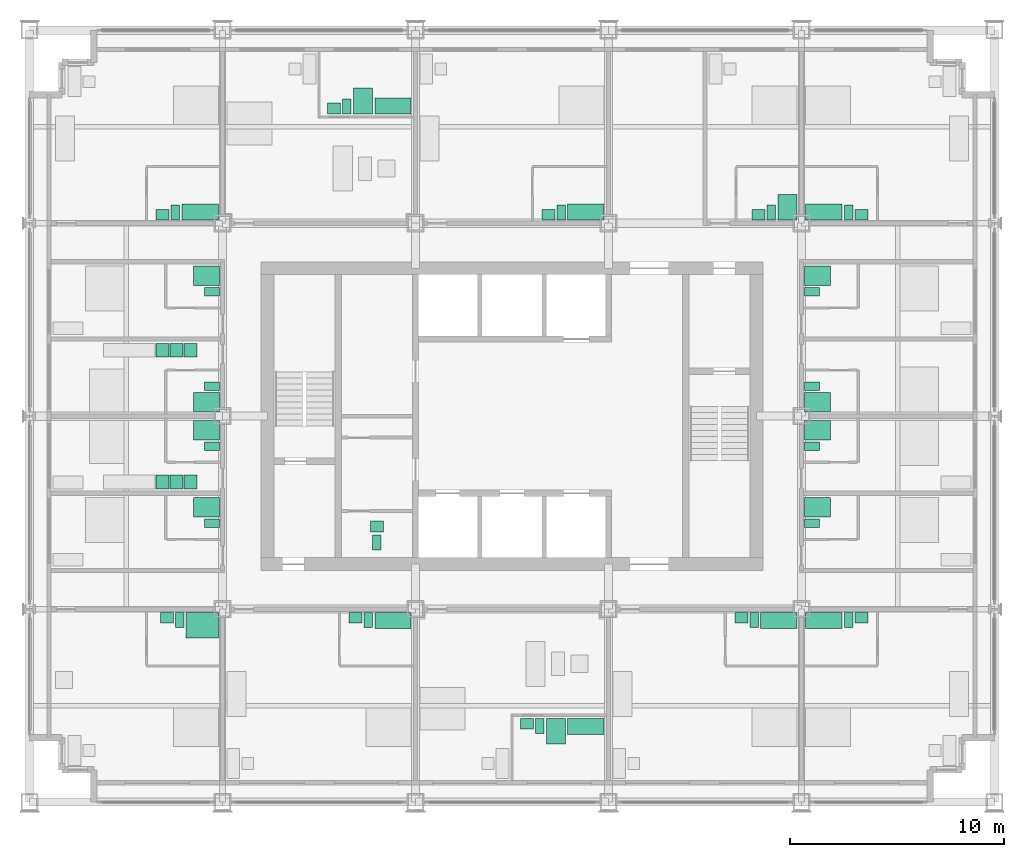
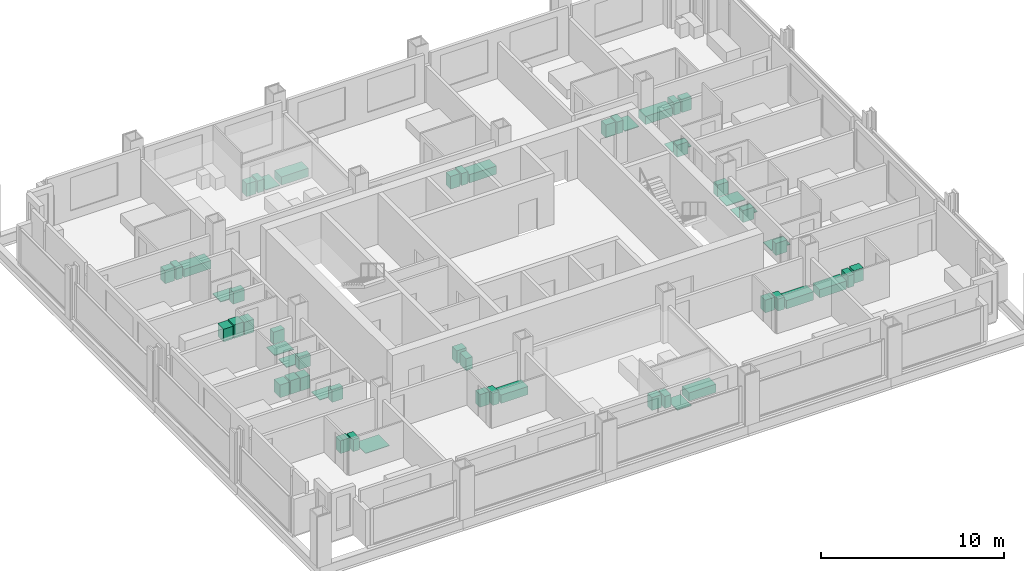
# One storey, part 15 of 16: 50 sanitary terminals, 6 electric appliances.
"""IFC4 building model written with IfcOpenShell, lengths in metres."""

from ifc_helpers import new_model, si_unit, direction, frame, origin, origin_2d, place, context, subcontext, project, spatial, rectangle, extrude, element, save


model = new_model("IFC4")

# Units and contexts
model_context = context("Model", 3, precision=1e-05, world=origin(), true_north=direction((0.0, 1.0)))
body_context = subcontext(model_context, "Body", "Model", "MODEL_VIEW")
ifc_project = project(units=[si_unit("LENGTHUNIT", "METRE"), si_unit("AREAUNIT", "SQUARE_METRE"), si_unit("VOLUMEUNIT", "CUBIC_METRE"), si_unit("PLANEANGLEUNIT", "RADIAN"), si_unit("MASSUNIT", "GRAM", prefix="KILO")], contexts=[model_context])

# Site, building, storey
site_placement = place(None, origin())
site = spatial("IfcSite", under=ifc_project, at=site_placement, CompositionType="ELEMENT")
building_placement = place(site_placement, origin())
building = spatial("IfcBuilding", under=site, at=building_placement, Name="Loomwork Tower", CompositionType="ELEMENT")
storey_placement = place(building_placement, frame((0.0, 0.0, 111.199951171875)))
storey = spatial("IfcBuildingStorey", under=building, at=storey_placement, Name="L29", CompositionType="ELEMENT", Elevation=111.199951171875)

# Sanitary terminals
sanitary_terminal_1_placement = place(storey_placement, frame((8.050048828125, 8.25, 0.0), z_axis=(0.0, 0.0, 1.0), x_axis=(1.0, 0.0, 0.0)))
element("IfcSanitaryTerminal", 1, at=sanitary_terminal_1_placement, inside=storey, Name="Roll-in shower floor L29", PredefinedType="SHOWER", context=body_context, shape_type="SweptSolid", body=[
    extrude(rectangle(XDim=1.5, YDim=1.199951171875, at=origin_2d()), origin(), (0.0, 0.0, 1.0), 0.030029296875),
])
sanitary_terminal_2_placement = place(storey_placement, frame((7.0, 8.5, 0.0), z_axis=(0.0, 0.0, 1.0), x_axis=(1.0, 0.0, 0.0)))
element("IfcSanitaryTerminal", 2, at=sanitary_terminal_2_placement, inside=storey, Name="WC L29", PredefinedType="TOILETPAN", context=body_context, shape_type="SweptSolid", body=[
    extrude(rectangle(XDim=0.39990234375, YDim=0.699951171875, at=origin_2d()), origin(), (0.0, 0.0, 1.0), 0.800048828125),
])
sanitary_terminal_3_placement = place(storey_placement, frame((6.39990234375, 8.60009765625, 0.0), z_axis=(0.0, 0.0, 1.0), x_axis=(1.0, 0.0, 0.0)))
element("IfcSanitaryTerminal", 3, at=sanitary_terminal_3_placement, inside=storey, Name="Basin vanity L29", PredefinedType="WASHHANDBASIN", context=body_context, shape_type="SweptSolid", body=[
    extrude(rectangle(XDim=0.60009765625, YDim=0.5, at=origin_2d()), origin(), (0.0, 0.0, 1.0), 0.85009765625),
])
sanitary_terminal_4_placement = place(storey_placement, frame((16.949951171875, 8.47509765625, 0.0), z_axis=(0.0, 0.0, 1.0), x_axis=(1.0, 0.0, 0.0)))
element("IfcSanitaryTerminal", 4, at=sanitary_terminal_4_placement, inside=storey, Name="Bath L29", PredefinedType="BATH", context=body_context, shape_type="SweptSolid", body=[
    extrude(rectangle(XDim=1.699951171875, YDim=0.75, at=origin_2d()), origin(), (0.0, 0.0, 1.0), 0.550048828125),
])
sanitary_terminal_5_placement = place(storey_placement, frame((15.800048828125, 8.5, 0.0), z_axis=(0.0, 0.0, 1.0), x_axis=(1.0, 0.0, 0.0)))
element("IfcSanitaryTerminal", 5, at=sanitary_terminal_5_placement, inside=storey, Name="WC L29", PredefinedType="TOILETPAN", context=body_context, shape_type="SweptSolid", body=[
    extrude(rectangle(XDim=0.39990234375, YDim=0.699951171875, at=origin_2d()), origin(), (0.0, 0.0, 1.0), 0.800048828125),
])
sanitary_terminal_6_placement = place(storey_placement, frame((15.199951171875, 8.60009765625, 0.0), z_axis=(0.0, 0.0, 1.0), x_axis=(1.0, 0.0, 0.0)))
element("IfcSanitaryTerminal", 6, at=sanitary_terminal_6_placement, inside=storey, Name="Basin vanity L29", PredefinedType="WASHHANDBASIN", context=body_context, shape_type="SweptSolid", body=[
    extrude(rectangle(XDim=0.60009765625, YDim=0.5, at=origin_2d()), origin(), (0.0, 0.0, 1.0), 0.85009765625),
])
sanitary_terminal_7_placement = place(storey_placement, frame((25.949951171875, 3.52490234375, 0.0), z_axis=(0.0, 0.0, 1.0), x_axis=(1.0, 0.0, 0.0)))
element("IfcSanitaryTerminal", 7, at=sanitary_terminal_7_placement, inside=storey, Name="Bath L29", PredefinedType="BATH", context=body_context, shape_type="SweptSolid", body=[
    extrude(rectangle(XDim=1.699951171875, YDim=0.75, at=origin_2d()), origin(), (0.0, 0.0, 1.0), 0.550048828125),
])
sanitary_terminal_8_placement = place(storey_placement, frame((24.550048828125, 3.300048828125, 0.0), z_axis=(0.0, 0.0, 1.0), x_axis=(1.0, 0.0, 0.0)))
element("IfcSanitaryTerminal", 8, at=sanitary_terminal_8_placement, inside=storey, Name="Shower tray L29", PredefinedType="SHOWER", context=body_context, shape_type="SweptSolid", body=[
    extrude(rectangle(XDim=0.89990234375, YDim=1.199951171875, at=origin_2d()), origin(), (0.0, 0.0, 1.0), 0.050048828125),
])
sanitary_terminal_9_placement = place(storey_placement, frame((23.800048828125, 3.550048828125, 0.0), z_axis=(0.0, 0.0, 1.0), x_axis=(1.0, 0.0, 0.0)))
element("IfcSanitaryTerminal", 9, at=sanitary_terminal_9_placement, inside=storey, Name="WC L29", PredefinedType="TOILETPAN", context=body_context, shape_type="SweptSolid", body=[
    extrude(rectangle(XDim=0.39990234375, YDim=0.699951171875, at=origin_2d()), origin(), (0.0, 0.0, 1.0), 0.800048828125),
])
sanitary_terminal_10_placement = place(storey_placement, frame((23.199951171875, 3.64990234375, 0.0), z_axis=(0.0, 0.0, 1.0), x_axis=(1.0, 0.0, 0.0)))
element("IfcSanitaryTerminal", 10, at=sanitary_terminal_10_placement, inside=storey, Name="Basin vanity L29", PredefinedType="WASHHANDBASIN", context=body_context, shape_type="SweptSolid", body=[
    extrude(rectangle(XDim=0.60009765625, YDim=0.5, at=origin_2d()), origin(), (0.0, 0.0, 1.0), 0.85009765625),
])
sanitary_terminal_11_placement = place(storey_placement, frame((34.949951171875, 8.47509765625, 0.0), z_axis=(0.0, 0.0, 1.0), x_axis=(1.0, 0.0, 0.0)))
element("IfcSanitaryTerminal", 11, at=sanitary_terminal_11_placement, inside=storey, Name="Bath L29", PredefinedType="BATH", context=body_context, shape_type="SweptSolid", body=[
    extrude(rectangle(XDim=1.699951171875, YDim=0.75, at=origin_2d()), origin(), (0.0, 0.0, 1.0), 0.550048828125),
])
sanitary_terminal_12_placement = place(storey_placement, frame((33.800048828125, 8.5, 0.0), z_axis=(0.0, 0.0, 1.0), x_axis=(1.0, 0.0, 0.0)))
element("IfcSanitaryTerminal", 12, at=sanitary_terminal_12_placement, inside=storey, Name="WC L29", PredefinedType="TOILETPAN", context=body_context, shape_type="SweptSolid", body=[
    extrude(rectangle(XDim=0.39990234375, YDim=0.699951171875, at=origin_2d()), origin(), (0.0, 0.0, 1.0), 0.800048828125),
])
sanitary_terminal_13_placement = place(storey_placement, frame((33.199951171875, 8.60009765625, 0.0), z_axis=(0.0, 0.0, 1.0), x_axis=(1.0, 0.0, 0.0)))
element("IfcSanitaryTerminal", 13, at=sanitary_terminal_13_placement, inside=storey, Name="Basin vanity L29", PredefinedType="WASHHANDBASIN", context=body_context, shape_type="SweptSolid", body=[
    extrude(rectangle(XDim=0.60009765625, YDim=0.5, at=origin_2d()), origin(), (0.0, 0.0, 1.0), 0.85009765625),
])
sanitary_terminal_14_placement = place(storey_placement, frame((37.050048828125, 8.47509765625, 0.0), z_axis=(0.0, 0.0, 1.0), x_axis=(1.0, 0.0, 0.0)))
element("IfcSanitaryTerminal", 14, at=sanitary_terminal_14_placement, inside=storey, Name="Bath L29", PredefinedType="BATH", context=body_context, shape_type="SweptSolid", body=[
    extrude(rectangle(XDim=1.699951171875, YDim=0.75, at=origin_2d()), origin(), (0.0, 0.0, 1.0), 0.550048828125),
])
sanitary_terminal_15_placement = place(storey_placement, frame((38.199951171875, 8.5, 0.0), z_axis=(0.0, 0.0, 1.0), x_axis=(1.0, 0.0, 0.0)))
element("IfcSanitaryTerminal", 15, at=sanitary_terminal_15_placement, inside=storey, Name="WC L29", PredefinedType="TOILETPAN", context=body_context, shape_type="SweptSolid", body=[
    extrude(rectangle(XDim=0.39990234375, YDim=0.699951171875, at=origin_2d()), origin(), (0.0, 0.0, 1.0), 0.800048828125),
])
sanitary_terminal_16_placement = place(storey_placement, frame((38.800048828125, 8.60009765625, 0.0), z_axis=(0.0, 0.0, 1.0), x_axis=(1.0, 0.0, 0.0)))
element("IfcSanitaryTerminal", 16, at=sanitary_terminal_16_placement, inside=storey, Name="Basin vanity L29", PredefinedType="WASHHANDBASIN", context=body_context, shape_type="SweptSolid", body=[
    extrude(rectangle(XDim=0.60009765625, YDim=0.5, at=origin_2d()), origin(), (0.0, 0.0, 1.0), 0.85009765625),
])
sanitary_terminal_17_placement = place(storey_placement, frame((7.949951171875, 27.52490234375, 0.0), z_axis=(0.0, 0.0, 1.0), x_axis=(1.0, 0.0, 0.0)))
element("IfcSanitaryTerminal", 17, at=sanitary_terminal_17_placement, inside=storey, Name="Bath L29", PredefinedType="BATH", context=body_context, shape_type="SweptSolid", body=[
    extrude(rectangle(XDim=1.699951171875, YDim=0.75, at=origin_2d()), origin(), (0.0, 0.0, 1.0), 0.550048828125),
])
sanitary_terminal_18_placement = place(storey_placement, frame((6.800048828125, 27.5, 0.0), z_axis=(0.0, 0.0, 1.0), x_axis=(1.0, 0.0, 0.0)))
element("IfcSanitaryTerminal", 18, at=sanitary_terminal_18_placement, inside=storey, Name="WC L29", PredefinedType="TOILETPAN", context=body_context, shape_type="SweptSolid", body=[
    extrude(rectangle(XDim=0.39990234375, YDim=0.699951171875, at=origin_2d()), origin(), (0.0, 0.0, 1.0), 0.800048828125),
])
sanitary_terminal_19_placement = place(storey_placement, frame((6.199951171875, 27.39990234375, 0.0), z_axis=(0.0, 0.0, 1.0), x_axis=(1.0, 0.0, 0.0)))
element("IfcSanitaryTerminal", 19, at=sanitary_terminal_19_placement, inside=storey, Name="Basin vanity L29", PredefinedType="WASHHANDBASIN", context=body_context, shape_type="SweptSolid", body=[
    extrude(rectangle(XDim=0.60009765625, YDim=0.5, at=origin_2d()), origin(), (0.0, 0.0, 1.0), 0.85009765625),
])
sanitary_terminal_20_placement = place(storey_placement, frame((16.949951171875, 32.47509765625, 0.0), z_axis=(0.0, 0.0, 1.0), x_axis=(1.0, 0.0, 0.0)))
element("IfcSanitaryTerminal", 20, at=sanitary_terminal_20_placement, inside=storey, Name="Bath L29", PredefinedType="BATH", context=body_context, shape_type="SweptSolid", body=[
    extrude(rectangle(XDim=1.699951171875, YDim=0.75, at=origin_2d()), origin(), (0.0, 0.0, 1.0), 0.550048828125),
])
sanitary_terminal_21_placement = place(storey_placement, frame((15.550048828125, 32.699951171875, 0.0), z_axis=(0.0, 0.0, 1.0), x_axis=(1.0, 0.0, 0.0)))
element("IfcSanitaryTerminal", 21, at=sanitary_terminal_21_placement, inside=storey, Name="Shower tray L29", PredefinedType="SHOWER", context=body_context, shape_type="SweptSolid", body=[
    extrude(rectangle(XDim=0.89990234375, YDim=1.199951171875, at=origin_2d()), origin(), (0.0, 0.0, 1.0), 0.050048828125),
])
sanitary_terminal_22_placement = place(storey_placement, frame((14.800048828125, 32.449951171875, 0.0), z_axis=(0.0, 0.0, 1.0), x_axis=(1.0, 0.0, 0.0)))
element("IfcSanitaryTerminal", 22, at=sanitary_terminal_22_placement, inside=storey, Name="WC L29", PredefinedType="TOILETPAN", context=body_context, shape_type="SweptSolid", body=[
    extrude(rectangle(XDim=0.39990234375, YDim=0.699951171875, at=origin_2d()), origin(), (0.0, 0.0, 1.0), 0.800048828125),
])
sanitary_terminal_23_placement = place(storey_placement, frame((14.199951171875, 32.35009765625, 0.0), z_axis=(0.0, 0.0, 1.0), x_axis=(1.0, 0.0, 0.0)))
element("IfcSanitaryTerminal", 23, at=sanitary_terminal_23_placement, inside=storey, Name="Basin vanity L29", PredefinedType="WASHHANDBASIN", context=body_context, shape_type="SweptSolid", body=[
    extrude(rectangle(XDim=0.60009765625, YDim=0.5, at=origin_2d()), origin(), (0.0, 0.0, 1.0), 0.85009765625),
])
sanitary_terminal_24_placement = place(storey_placement, frame((25.949951171875, 27.52490234375, 0.0), z_axis=(0.0, 0.0, 1.0), x_axis=(1.0, 0.0, 0.0)))
element("IfcSanitaryTerminal", 24, at=sanitary_terminal_24_placement, inside=storey, Name="Bath L29", PredefinedType="BATH", context=body_context, shape_type="SweptSolid", body=[
    extrude(rectangle(XDim=1.699951171875, YDim=0.75, at=origin_2d()), origin(), (0.0, 0.0, 1.0), 0.550048828125),
])
sanitary_terminal_25_placement = place(storey_placement, frame((24.800048828125, 27.5, 0.0), z_axis=(0.0, 0.0, 1.0), x_axis=(1.0, 0.0, 0.0)))
element("IfcSanitaryTerminal", 25, at=sanitary_terminal_25_placement, inside=storey, Name="WC L29", PredefinedType="TOILETPAN", context=body_context, shape_type="SweptSolid", body=[
    extrude(rectangle(XDim=0.39990234375, YDim=0.699951171875, at=origin_2d()), origin(), (0.0, 0.0, 1.0), 0.800048828125),
])
sanitary_terminal_26_placement = place(storey_placement, frame((24.199951171875, 27.39990234375, 0.0), z_axis=(0.0, 0.0, 1.0), x_axis=(1.0, 0.0, 0.0)))
element("IfcSanitaryTerminal", 26, at=sanitary_terminal_26_placement, inside=storey, Name="Basin vanity L29", PredefinedType="WASHHANDBASIN", context=body_context, shape_type="SweptSolid", body=[
    extrude(rectangle(XDim=0.60009765625, YDim=0.5, at=origin_2d()), origin(), (0.0, 0.0, 1.0), 0.85009765625),
])
sanitary_terminal_27_placement = place(storey_placement, frame((35.35009765625, 27.75, 0.0), z_axis=(0.0, 0.0, 1.0), x_axis=(1.0, 0.0, 0.0)))
element("IfcSanitaryTerminal", 27, at=sanitary_terminal_27_placement, inside=storey, Name="Shower tray L29", PredefinedType="SHOWER", context=body_context, shape_type="SweptSolid", body=[
    extrude(rectangle(XDim=0.89990234375, YDim=1.199951171875, at=origin_2d()), origin(), (0.0, 0.0, 1.0), 0.050048828125),
])
sanitary_terminal_28_placement = place(storey_placement, frame((34.60009765625, 27.5, 0.0), z_axis=(0.0, 0.0, 1.0), x_axis=(1.0, 0.0, 0.0)))
element("IfcSanitaryTerminal", 28, at=sanitary_terminal_28_placement, inside=storey, Name="WC L29", PredefinedType="TOILETPAN", context=body_context, shape_type="SweptSolid", body=[
    extrude(rectangle(XDim=0.39990234375, YDim=0.699951171875, at=origin_2d()), origin(), (0.0, 0.0, 1.0), 0.800048828125),
])
sanitary_terminal_29_placement = place(storey_placement, frame((34.0, 27.39990234375, 0.0), z_axis=(0.0, 0.0, 1.0), x_axis=(1.0, 0.0, 0.0)))
element("IfcSanitaryTerminal", 29, at=sanitary_terminal_29_placement, inside=storey, Name="Basin vanity L29", PredefinedType="WASHHANDBASIN", context=body_context, shape_type="SweptSolid", body=[
    extrude(rectangle(XDim=0.60009765625, YDim=0.5, at=origin_2d()), origin(), (0.0, 0.0, 1.0), 0.85009765625),
])
sanitary_terminal_30_placement = place(storey_placement, frame((37.050048828125, 27.52490234375, 0.0), z_axis=(0.0, 0.0, 1.0), x_axis=(1.0, 0.0, 0.0)))
element("IfcSanitaryTerminal", 30, at=sanitary_terminal_30_placement, inside=storey, Name="Bath L29", PredefinedType="BATH", context=body_context, shape_type="SweptSolid", body=[
    extrude(rectangle(XDim=1.699951171875, YDim=0.75, at=origin_2d()), origin(), (0.0, 0.0, 1.0), 0.550048828125),
])
sanitary_terminal_31_placement = place(storey_placement, frame((38.199951171875, 27.5, 0.0), z_axis=(0.0, 0.0, 1.0), x_axis=(1.0, 0.0, 0.0)))
element("IfcSanitaryTerminal", 31, at=sanitary_terminal_31_placement, inside=storey, Name="WC L29", PredefinedType="TOILETPAN", context=body_context, shape_type="SweptSolid", body=[
    extrude(rectangle(XDim=0.39990234375, YDim=0.699951171875, at=origin_2d()), origin(), (0.0, 0.0, 1.0), 0.800048828125),
])
sanitary_terminal_32_placement = place(storey_placement, frame((38.800048828125, 27.39990234375, 0.0), z_axis=(0.0, 0.0, 1.0), x_axis=(1.0, 0.0, 0.0)))
element("IfcSanitaryTerminal", 32, at=sanitary_terminal_32_placement, inside=storey, Name="Basin vanity L29", PredefinedType="WASHHANDBASIN", context=body_context, shape_type="SweptSolid", body=[
    extrude(rectangle(XDim=0.60009765625, YDim=0.5, at=origin_2d()), origin(), (0.0, 0.0, 1.0), 0.85009765625),
])
sanitary_terminal_33_placement = place(storey_placement, frame((8.25, 13.75, 0.0), z_axis=(0.0, 0.0, 1.0), x_axis=(1.0, 0.0, 0.0)))
element("IfcSanitaryTerminal", 33, at=sanitary_terminal_33_placement, inside=storey, Name="Shower tray L29", PredefinedType="SHOWER", context=body_context, shape_type="SweptSolid", body=[
    extrude(rectangle(XDim=1.199951171875, YDim=0.89990234375, at=origin_2d()), origin(), (0.0, 0.0, 1.0), 0.050048828125),
])
sanitary_terminal_34_placement = place(storey_placement, frame((8.5, 13.0, 0.0), z_axis=(0.0, 0.0, 1.0), x_axis=(1.0, 0.0, 0.0)))
element("IfcSanitaryTerminal", 34, at=sanitary_terminal_34_placement, inside=storey, Name="WC L29", PredefinedType="TOILETPAN", context=body_context, shape_type="SweptSolid", body=[
    extrude(rectangle(XDim=0.699951171875, YDim=0.39990234375, at=origin_2d()), origin(), (0.0, 0.0, 1.0), 0.800048828125),
])
sanitary_terminal_35_placement = place(storey_placement, frame((8.25, 17.35009765625, 0.0), z_axis=(0.0, 0.0, 1.0), x_axis=(1.0, 0.0, 0.0)))
element("IfcSanitaryTerminal", 35, at=sanitary_terminal_35_placement, inside=storey, Name="Shower tray L29", PredefinedType="SHOWER", context=body_context, shape_type="SweptSolid", body=[
    extrude(rectangle(XDim=1.199951171875, YDim=0.89990234375, at=origin_2d()), origin(), (0.0, 0.0, 1.0), 0.050048828125),
])
sanitary_terminal_36_placement = place(storey_placement, frame((8.5, 16.60009765625, 0.0), z_axis=(0.0, 0.0, 1.0), x_axis=(1.0, 0.0, 0.0)))
element("IfcSanitaryTerminal", 36, at=sanitary_terminal_36_placement, inside=storey, Name="WC L29", PredefinedType="TOILETPAN", context=body_context, shape_type="SweptSolid", body=[
    extrude(rectangle(XDim=0.699951171875, YDim=0.39990234375, at=origin_2d()), origin(), (0.0, 0.0, 1.0), 0.800048828125),
])

# Electric appliances
electric_appliance_1_placement = place(storey_placement, frame((7.5, 14.925048828125, 0.0), z_axis=(0.0, 0.0, 1.0), x_axis=(1.0, 0.0, 0.0)))
element("IfcElectricAppliance", 37, at=electric_appliance_1_placement, inside=storey, Name="Refrigerator L29", PredefinedType="REFRIGERATOR", context=body_context, shape_type="SweptSolid", body=[
    extrude(rectangle(XDim=0.60009765625, YDim=0.64990234375, at=origin_2d()), origin(), (0.0, 0.0, 1.0), 0.85009765625),
])
electric_appliance_2_placement = place(storey_placement, frame((6.85009765625, 14.925048828125, 0.0), z_axis=(0.0, 0.0, 1.0), x_axis=(1.0, 0.0, 0.0)))
element("IfcElectricAppliance", 38, at=electric_appliance_2_placement, inside=storey, Name="Two-ring cooktop and oven L29", PredefinedType="ELECTRICCOOKER", context=body_context, shape_type="SweptSolid", body=[
    extrude(rectangle(XDim=0.60009765625, YDim=0.64990234375, at=origin_2d()), origin(), (0.0, 0.0, 1.0), 0.89990234375),
])
electric_appliance_3_placement = place(storey_placement, frame((6.199951171875, 14.925048828125, 0.0), z_axis=(0.0, 0.0, 1.0), x_axis=(1.0, 0.0, 0.0)))
element("IfcElectricAppliance", 39, at=electric_appliance_3_placement, inside=storey, Name="Dishwasher L29", PredefinedType="DISHWASHER", context=body_context, shape_type="SweptSolid", body=[
    extrude(rectangle(XDim=0.60009765625, YDim=0.64990234375, at=origin_2d()), origin(), (0.0, 0.0, 1.0), 0.85009765625),
])

# Sanitary terminals
sanitary_terminal_37_placement = place(storey_placement, frame((8.25, 18.64990234375, 0.0), z_axis=(0.0, 0.0, 1.0), x_axis=(1.0, 0.0, 0.0)))
element("IfcSanitaryTerminal", 40, at=sanitary_terminal_37_placement, inside=storey, Name="Shower tray L29", PredefinedType="SHOWER", context=body_context, shape_type="SweptSolid", body=[
    extrude(rectangle(XDim=1.199951171875, YDim=0.89990234375, at=origin_2d()), origin(), (0.0, 0.0, 1.0), 0.050048828125),
])
sanitary_terminal_38_placement = place(storey_placement, frame((8.5, 19.39990234375, 0.0), z_axis=(0.0, 0.0, 1.0), x_axis=(1.0, 0.0, 0.0)))
element("IfcSanitaryTerminal", 41, at=sanitary_terminal_38_placement, inside=storey, Name="WC L29", PredefinedType="TOILETPAN", context=body_context, shape_type="SweptSolid", body=[
    extrude(rectangle(XDim=0.699951171875, YDim=0.39990234375, at=origin_2d()), origin(), (0.0, 0.0, 1.0), 0.800048828125),
])

# Electric appliances
electric_appliance_4_placement = place(storey_placement, frame((7.5, 21.074951171875, 0.0), z_axis=(0.0, 0.0, 1.0), x_axis=(1.0, 0.0, 0.0)))
element("IfcElectricAppliance", 42, at=electric_appliance_4_placement, inside=storey, Name="Refrigerator L29", PredefinedType="REFRIGERATOR", context=body_context, shape_type="SweptSolid", body=[
    extrude(rectangle(XDim=0.60009765625, YDim=0.64990234375, at=origin_2d()), origin(), (0.0, 0.0, 1.0), 0.85009765625),
])
electric_appliance_5_placement = place(storey_placement, frame((6.85009765625, 21.074951171875, 0.0), z_axis=(0.0, 0.0, 1.0), x_axis=(1.0, 0.0, 0.0)))
element("IfcElectricAppliance", 43, at=electric_appliance_5_placement, inside=storey, Name="Two-ring cooktop and oven L29", PredefinedType="ELECTRICCOOKER", context=body_context, shape_type="SweptSolid", body=[
    extrude(rectangle(XDim=0.60009765625, YDim=0.64990234375, at=origin_2d()), origin(), (0.0, 0.0, 1.0), 0.89990234375),
])
electric_appliance_6_placement = place(storey_placement, frame((6.199951171875, 21.074951171875, 0.0), z_axis=(0.0, 0.0, 1.0), x_axis=(1.0, 0.0, 0.0)))
element("IfcElectricAppliance", 44, at=electric_appliance_6_placement, inside=storey, Name="Dishwasher L29", PredefinedType="DISHWASHER", context=body_context, shape_type="SweptSolid", body=[
    extrude(rectangle(XDim=0.60009765625, YDim=0.64990234375, at=origin_2d()), origin(), (0.0, 0.0, 1.0), 0.85009765625),
])

# Sanitary terminals
sanitary_terminal_39_placement = place(storey_placement, frame((8.25, 24.550048828125, 0.0), z_axis=(0.0, 0.0, 1.0), x_axis=(1.0, 0.0, 0.0)))
element("IfcSanitaryTerminal", 45, at=sanitary_terminal_39_placement, inside=storey, Name="Shower tray L29", PredefinedType="SHOWER", context=body_context, shape_type="SweptSolid", body=[
    extrude(rectangle(XDim=1.199951171875, YDim=0.89990234375, at=origin_2d()), origin(), (0.0, 0.0, 1.0), 0.050048828125),
])
sanitary_terminal_40_placement = place(storey_placement, frame((8.5, 23.800048828125, 0.0), z_axis=(0.0, 0.0, 1.0), x_axis=(1.0, 0.0, 0.0)))
element("IfcSanitaryTerminal", 46, at=sanitary_terminal_40_placement, inside=storey, Name="WC L29", PredefinedType="TOILETPAN", context=body_context, shape_type="SweptSolid", body=[
    extrude(rectangle(XDim=0.699951171875, YDim=0.39990234375, at=origin_2d()), origin(), (0.0, 0.0, 1.0), 0.800048828125),
])
sanitary_terminal_41_placement = place(storey_placement, frame((36.75, 13.75, 0.0), z_axis=(0.0, 0.0, 1.0), x_axis=(1.0, 0.0, 0.0)))
element("IfcSanitaryTerminal", 47, at=sanitary_terminal_41_placement, inside=storey, Name="Shower tray L29", PredefinedType="SHOWER", context=body_context, shape_type="SweptSolid", body=[
    extrude(rectangle(XDim=1.199951171875, YDim=0.89990234375, at=origin_2d()), origin(), (0.0, 0.0, 1.0), 0.050048828125),
])
sanitary_terminal_42_placement = place(storey_placement, frame((36.5, 13.0, 0.0), z_axis=(0.0, 0.0, 1.0), x_axis=(1.0, 0.0, 0.0)))
element("IfcSanitaryTerminal", 48, at=sanitary_terminal_42_placement, inside=storey, Name="WC L29", PredefinedType="TOILETPAN", context=body_context, shape_type="SweptSolid", body=[
    extrude(rectangle(XDim=0.699951171875, YDim=0.39990234375, at=origin_2d()), origin(), (0.0, 0.0, 1.0), 0.800048828125),
])
sanitary_terminal_43_placement = place(storey_placement, frame((36.75, 17.35009765625, 0.0), z_axis=(0.0, 0.0, 1.0), x_axis=(1.0, 0.0, 0.0)))
element("IfcSanitaryTerminal", 49, at=sanitary_terminal_43_placement, inside=storey, Name="Shower tray L29", PredefinedType="SHOWER", context=body_context, shape_type="SweptSolid", body=[
    extrude(rectangle(XDim=1.199951171875, YDim=0.89990234375, at=origin_2d()), origin(), (0.0, 0.0, 1.0), 0.050048828125),
])
sanitary_terminal_44_placement = place(storey_placement, frame((36.5, 16.60009765625, 0.0), z_axis=(0.0, 0.0, 1.0), x_axis=(1.0, 0.0, 0.0)))
element("IfcSanitaryTerminal", 50, at=sanitary_terminal_44_placement, inside=storey, Name="WC L29", PredefinedType="TOILETPAN", context=body_context, shape_type="SweptSolid", body=[
    extrude(rectangle(XDim=0.699951171875, YDim=0.39990234375, at=origin_2d()), origin(), (0.0, 0.0, 1.0), 0.800048828125),
])
sanitary_terminal_45_placement = place(storey_placement, frame((36.75, 18.64990234375, 0.0), z_axis=(0.0, 0.0, 1.0), x_axis=(1.0, 0.0, 0.0)))
element("IfcSanitaryTerminal", 51, at=sanitary_terminal_45_placement, inside=storey, Name="Shower tray L29", PredefinedType="SHOWER", context=body_context, shape_type="SweptSolid", body=[
    extrude(rectangle(XDim=1.199951171875, YDim=0.89990234375, at=origin_2d()), origin(), (0.0, 0.0, 1.0), 0.050048828125),
])
sanitary_terminal_46_placement = place(storey_placement, frame((36.5, 19.39990234375, 0.0), z_axis=(0.0, 0.0, 1.0), x_axis=(1.0, 0.0, 0.0)))
element("IfcSanitaryTerminal", 52, at=sanitary_terminal_46_placement, inside=storey, Name="WC L29", PredefinedType="TOILETPAN", context=body_context, shape_type="SweptSolid", body=[
    extrude(rectangle(XDim=0.699951171875, YDim=0.39990234375, at=origin_2d()), origin(), (0.0, 0.0, 1.0), 0.800048828125),
])
sanitary_terminal_47_placement = place(storey_placement, frame((36.75, 24.550048828125, 0.0), z_axis=(0.0, 0.0, 1.0), x_axis=(1.0, 0.0, 0.0)))
element("IfcSanitaryTerminal", 53, at=sanitary_terminal_47_placement, inside=storey, Name="Shower tray L29", PredefinedType="SHOWER", context=body_context, shape_type="SweptSolid", body=[
    extrude(rectangle(XDim=1.199951171875, YDim=0.89990234375, at=origin_2d()), origin(), (0.0, 0.0, 1.0), 0.050048828125),
])
sanitary_terminal_48_placement = place(storey_placement, frame((36.5, 23.800048828125, 0.0), z_axis=(0.0, 0.0, 1.0), x_axis=(1.0, 0.0, 0.0)))
element("IfcSanitaryTerminal", 54, at=sanitary_terminal_48_placement, inside=storey, Name="WC L29", PredefinedType="TOILETPAN", context=body_context, shape_type="SweptSolid", body=[
    extrude(rectangle(XDim=0.699951171875, YDim=0.39990234375, at=origin_2d()), origin(), (0.0, 0.0, 1.0), 0.800048828125),
])
sanitary_terminal_49_placement = place(storey_placement, frame((16.199951171875, 12.10009765625, 0.0), z_axis=(0.0, 0.0, 1.0), x_axis=(1.0, 0.0, 0.0)))
element("IfcSanitaryTerminal", 55, at=sanitary_terminal_49_placement, inside=storey, Name="WC L29", PredefinedType="TOILETPAN", context=body_context, shape_type="SweptSolid", body=[
    extrude(rectangle(XDim=0.39990234375, YDim=0.699951171875, at=origin_2d()), origin(), (0.0, 0.0, 1.0), 0.800048828125),
])
sanitary_terminal_50_placement = place(storey_placement, frame((16.199951171875, 12.85009765625, 0.0), z_axis=(0.0, 0.0, 1.0), x_axis=(1.0, 0.0, 0.0)))
element("IfcSanitaryTerminal", 56, at=sanitary_terminal_50_placement, inside=storey, Name="Basin L29", PredefinedType="WASHHANDBASIN", context=body_context, shape_type="SweptSolid", body=[
    extrude(rectangle(XDim=0.60009765625, YDim=0.5, at=origin_2d()), origin(), (0.0, 0.0, 1.0), 0.85009765625),
])

save(model, "model.ifc")
